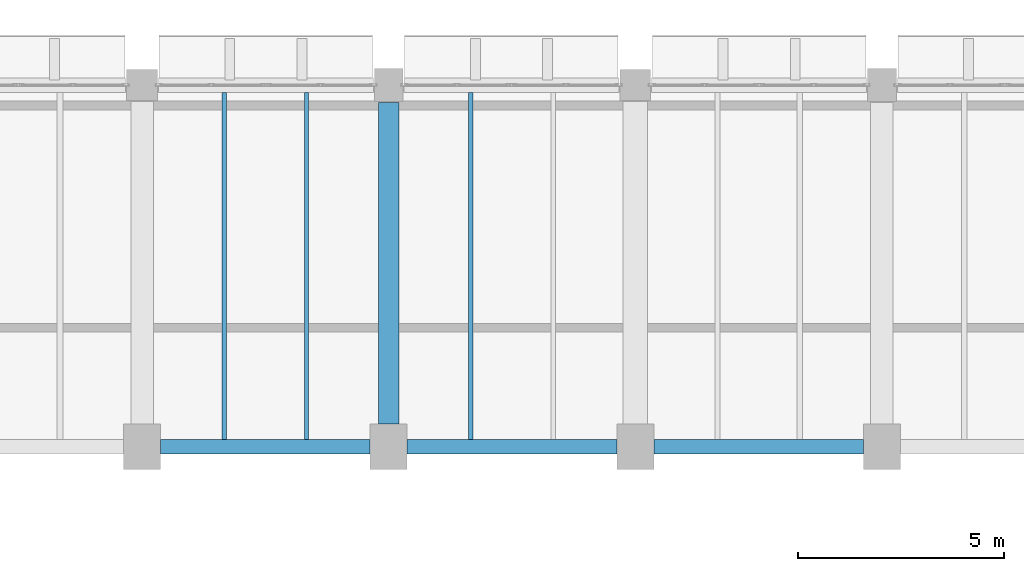
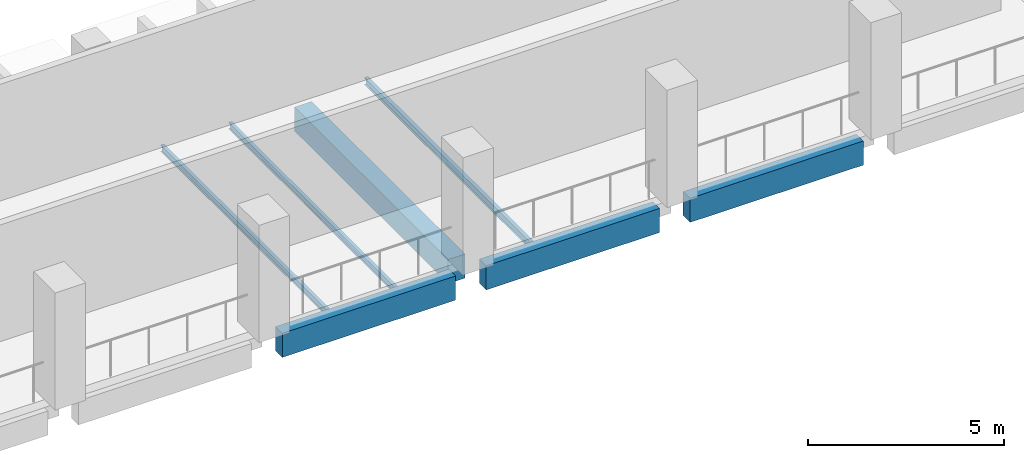
# One storey, part 40 of 80: 7 beams.
"""IFC4 building model written with IfcOpenShell, lengths in metres."""

from ifc_helpers import new_model, si_unit, direction, frame, origin, origin_2d, place, context, subcontext, project, spatial, rectangle, i_section, extrude, material, material_profile, profile_set, type_object, element, save


model = new_model("IFC4")

# Units and contexts
model_context = context("Model", 3, precision=1e-05, world=origin(), true_north=direction((0.0, 1.0)))
body_context = subcontext(model_context, "Body", "Model", "MODEL_VIEW")
ifc_project = project(units=[si_unit("LENGTHUNIT", "METRE"), si_unit("AREAUNIT", "SQUARE_METRE"), si_unit("VOLUMEUNIT", "CUBIC_METRE"), si_unit("PLANEANGLEUNIT", "RADIAN"), si_unit("MASSUNIT", "GRAM", prefix="KILO")], contexts=[model_context])

# Site, building, storey
site_placement = place(None, origin())
site = spatial("IfcSite", under=ifc_project, at=site_placement, CompositionType="ELEMENT")
building_placement = place(site_placement, origin())
building = spatial("IfcBuilding", under=site, at=building_placement, Name="Varnakota Cinema and Media Centre", CompositionType="ELEMENT")
storey_placement = place(building_placement, frame((0.0, 0.0, 4.5)))
storey = spatial("IfcBuildingStorey", under=building, at=storey_placement, Name="L01", CompositionType="ELEMENT", Elevation=4.5)

# Beams
ifc_material_1 = material(Name="Concrete M35", Category="concrete")
ifc_material_profile_1 = material_profile(ifc_material_1, rectangle(XDim=0.5, YDim=0.75, at=origin_2d()), Name="RCB 500x750")
ifc_profile_set_1 = profile_set([ifc_material_profile_1], Name="Concrete M35")
beam_type_1 = type_object("IfcBeamType", Name="BM-RC-500x750", PredefinedType="BEAM", material=ifc_profile_set_1)
beam_1_placement = place(storey_placement, frame((117.0, 35.75, -0.625), z_axis=(0.0, 1.0, 0.0), x_axis=(-1.0, 0.0, 0.0)))
element("IfcBeam", 1, at=beam_1_placement, inside=storey, type_object=beam_type_1, Name="L01 girder S/5-6", PredefinedType="BEAM", context=body_context, shape_type="SweptSolid", body=[
    extrude(rectangle(XDim=0.5, YDim=0.75, at=origin_2d()), origin(), (0.0, 0.0, 1.0), 7.824951171875),
])
ifc_material_2 = material(Name="Concrete M40", Category="concrete")
ifc_material_profile_2 = material_profile(ifc_material_2, rectangle(XDim=0.35009765625, YDim=0.75, at=origin_2d()), Name="RCB 350x750")
ifc_profile_set_2 = profile_set([ifc_material_profile_2], Name="Concrete M40")
beam_type_2 = type_object("IfcBeamType", Name="BM-SP-350x750", PredefinedType="SPANDREL", material=ifc_profile_set_2)
for number, where, z_axis, x_axis, name in (
    (2, (111.449951171875, 35.199951171875, -0.625), (1.0, 0.0, 0.0), (0.0, 1.0, 0.0), "L01 girder R-S/5"),
    (3, (117.449951171875, 35.199951171875, -0.625), (1.0, 0.0, 0.0), (0.0, 1.0, 0.0), "L01 girder S-T/5"),
    (4, (123.449951171875, 35.199951171875, -0.625), (1.0, 0.0, 0.0), (0.0, 1.0, 0.0), "L01 girder T-U/5"),
):
    element("IfcBeam", number, at=place(storey_placement, frame(where, z_axis=z_axis, x_axis=x_axis)), inside=storey, type_object=beam_type_2, Name=name, PredefinedType="SPANDREL", context=body_context, shape_type="SweptSolid", body=[
        extrude(rectangle(XDim=0.35009765625, YDim=0.75, at=origin_2d()), origin(), (0.0, 0.0, 1.0), 5.10009765625),
    ])
ifc_material_3 = material(Name="Structural steel Grade 350 (E350)", Category="steel")
ifc_material_profile_3 = material_profile(ifc_material_3, i_section(OverallWidth=0.10009765625, OverallDepth=0.199951171875, WebThickness=0.005615234375, FlangeThickness=0.0107421875, FilletRadius=0.010986328125, at=origin_2d()), Name="ISMB 200")
ifc_profile_set_3 = profile_set([ifc_material_profile_3], Name="Structural steel Grade 350 (E350)")
beam_type_3 = type_object("IfcBeamType", Name="BM-ST-ISMB200", PredefinedType="JOIST", material=ifc_profile_set_3)
for number, where, z_axis, x_axis, name in (
    (5, (113.0, 35.375, -0.35009765625), (0.0, 1.0, 0.0), (-1.0, 0.0, 0.0), "L01 steel joist R-S/5-6 #1"),
    (6, (115.0, 35.375, -0.35009765625), (0.0, 1.0, 0.0), (-1.0, 0.0, 0.0), "L01 steel joist R-S/5-6 #2"),
):
    element("IfcBeam", number, at=place(storey_placement, frame(where, z_axis=z_axis, x_axis=x_axis)), inside=storey, type_object=beam_type_3, Name=name, PredefinedType="JOIST", context=body_context, shape_type="SweptSolid", body=[
        extrude(i_section(OverallWidth=0.10009765625, OverallDepth=0.199951171875, WebThickness=0.005615234375, FlangeThickness=0.0107421875, FilletRadius=0.010986328125, at=origin_2d()), origin(), (0.0, 0.0, 1.0), 8.449951171875),
    ])
ifc_material_4 = material(Name="Structural steel Grade 350 (E350)", Category="steel")
ifc_material_profile_4 = material_profile(ifc_material_4, i_section(OverallWidth=0.110107421875, OverallDepth=0.22509765625, WebThickness=0.006591796875, FlangeThickness=0.01171875, FilletRadius=0.011962890625, at=origin_2d()), Name="ISMB 225")
ifc_profile_set_4 = profile_set([ifc_material_profile_4], Name="Structural steel Grade 350 (E350)")
beam_type_4 = type_object("IfcBeamType", Name="BM-ST-ISMB225", PredefinedType="JOIST", material=ifc_profile_set_4)
beam_2_placement = place(storey_placement, frame((119.0, 35.375, -0.362548828125), z_axis=(0.0, 1.0, 0.0), x_axis=(-1.0, 0.0, 0.0)))
element("IfcBeam", 7, at=beam_2_placement, inside=storey, type_object=beam_type_4, Name="L01 steel joist S-T/5-6 #1", PredefinedType="JOIST", context=body_context, shape_type="SweptSolid", body=[
    extrude(i_section(OverallWidth=0.110107421875, OverallDepth=0.22509765625, WebThickness=0.006591796875, FlangeThickness=0.01171875, FilletRadius=0.011962890625, at=origin_2d()), origin(), (0.0, 0.0, 1.0), 8.449951171875),
])

save(model, "model.ifc")
